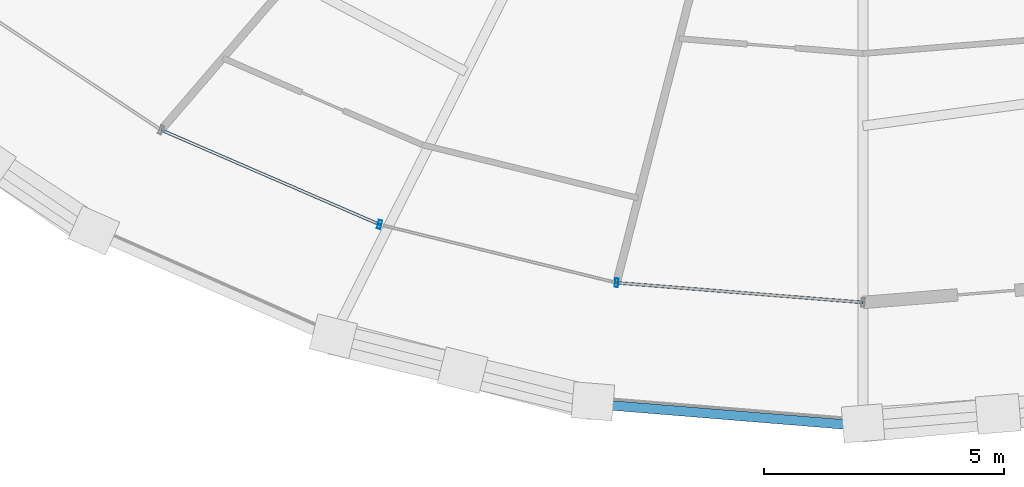
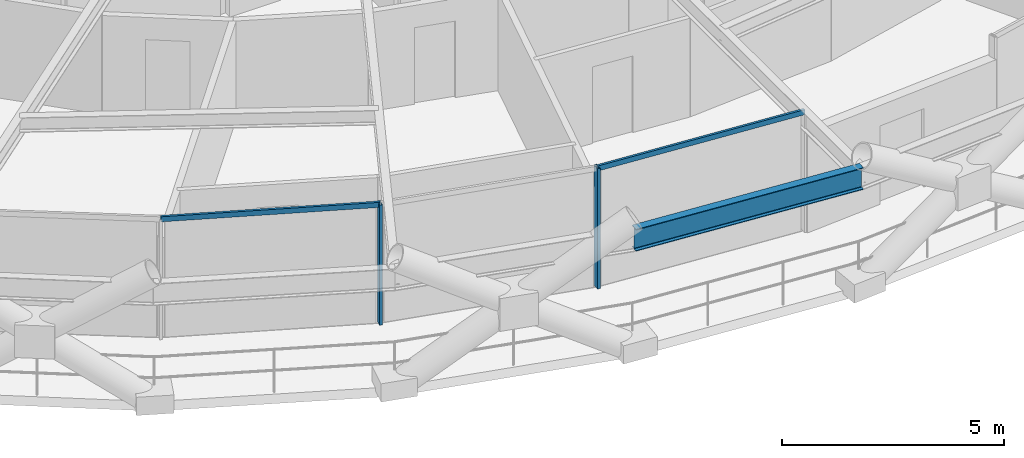
# One storey, part 4 of 21: 4 members, 1 beam, 1 element without a shape of its own.
"""IFC4 building model written with IfcOpenShell, lengths in metres."""

from ifc_helpers import new_model, si_unit, direction, frame, origin, origin_2d, place, context, subcontext, project, spatial, hollow_rectangle, i_section, extrude, material, layer, layer_set, material_profile, profile_set, type_object, element, aggregate, save


model = new_model("IFC4")

# Units and contexts
model_context = context("Model", 3, precision=1e-05, world=origin(), true_north=direction((0.0, 1.0)))
body_context = subcontext(model_context, "Body", "Model", "MODEL_VIEW")
ifc_project = project(units=[si_unit("LENGTHUNIT", "METRE"), si_unit("AREAUNIT", "SQUARE_METRE"), si_unit("VOLUMEUNIT", "CUBIC_METRE"), si_unit("PLANEANGLEUNIT", "RADIAN"), si_unit("MASSUNIT", "GRAM", prefix="KILO")], contexts=[model_context])

# Site, building, storey
site_placement = place(None, origin())
site = spatial("IfcSite", under=ifc_project, at=site_placement, CompositionType="ELEMENT")
building_placement = place(site_placement, origin())
building = spatial("IfcBuilding", under=site, at=building_placement, Name="Veldorina Hangang Commons", CompositionType="ELEMENT")
storey_placement = place(building_placement, frame((0.0, 0.0, 66.39990234375)))
storey = spatial("IfcBuildingStorey", under=building, at=storey_placement, Name="L16", CompositionType="ELEMENT", Elevation=66.39990234375)

# Beam
ifc_material_1 = material(Name="Steel SM420-TMC", Category="steel")
ifc_material_profile_1 = material_profile(ifc_material_1, i_section(OverallWidth=0.199951171875, OverallDepth=0.60009765625, WebThickness=0.010986328125, FlangeThickness=0.01708984375, FilletRadius=0.01806640625, at=origin_2d()), Name="H-600x200x11x17")
ifc_profile_set_1 = profile_set([ifc_material_profile_1], Name="Steel SM420-TMC")
beam_type = type_object("IfcBeamType", Name="BM-RB600", PredefinedType="BEAM", material=ifc_profile_set_1)
beam_placement = place(storey_placement, frame((26.36083984375, 0.553466796875, 3.0400390625), z_axis=(0.996700521697, -0.081166927063, 0.0), x_axis=(0.081166927063, 0.996700521697, 0.0)))
element("IfcBeam", 1, at=beam_placement, inside=storey, type_object=beam_type, Name="L16 perimeter hoop ring beam 23", PredefinedType="BEAM", context=body_context, shape_type="SweptSolid", body=[
    extrude(i_section(OverallWidth=0.199951171875, OverallDepth=0.60009765625, WebThickness=0.010986328125, FlangeThickness=0.01708984375, FilletRadius=0.01806640625, at=origin_2d()), origin(), (0.0, 0.0, 1.0), 5.65771484375),
])

# Curtain wall, members
ifc_material_2 = material(Name="Glass Low-E Triple IGU", Category="glass")
ifc_layer = layer(ifc_material_2, 0.179931640625)
ifc_layer_set = layer_set([ifc_layer], Name="Glass Low-E Triple IGU")
curtain_wall_type = type_object("IfcCurtainWallType", Name="CW-SYS-Z1", PredefinedType="NOTDEFINED", material=ifc_layer_set)
curtain_wall_placement = place(storey_placement, origin())
curtain_wall = element("IfcCurtainWall", 2, at=curtain_wall_placement, inside=storey, type_object=curtain_wall_type, Name="L16 unitised curtain wall CW-L16-R1", PredefinedType="NOTDEFINED")
ifc_material_3 = material(Name="Aluminium Anodized AA6063-T6", Category="aluminium")
ifc_material_profile_2 = material_profile(ifc_material_3, hollow_rectangle(XDim=0.070068359375, YDim=0.179931640625, WallThickness=0.00390625, at=origin_2d()), Name="ALU-RHS-180x70x4")
ifc_profile_set_2 = profile_set([ifc_material_profile_2], Name="Aluminium Anodized AA6063-T6")
member_type_1 = type_object("IfcMemberType", Name="CW-MUL-180", PredefinedType="MULLION", material=ifc_profile_set_2)
member_1_placement = place(storey_placement, frame((21.92333984375, 4.292236328125, 0.0), z_axis=(0.0, 0.0, 1.0), x_axis=(0.971105130303, -0.238652102233, 0.0)))
member_1 = element("IfcMember", 3, at=member_1_placement, type_object=member_type_1, Name="CW-L16-R1 vertical mullion 3", PredefinedType="MULLION", context=body_context, shape_type="SweptSolid", body=[
    extrude(hollow_rectangle(XDim=0.070068359375, YDim=0.179931640625, WallThickness=0.00390625, at=origin_2d()), origin(), (0.0, 0.0, 1.0), 3.300048828125),
])
member_2_placement = place(storey_placement, frame((26.863037109375, 3.078369140625, 0.0), z_axis=(0.0, 0.0, 1.0), x_axis=(0.996831849168, -0.079537817952, 0.0)))
member_2 = element("IfcMember", 4, at=member_2_placement, type_object=member_type_1, Name="CW-L16-R1 vertical mullion 4", PredefinedType="MULLION", context=body_context, shape_type="SweptSolid", body=[
    extrude(hollow_rectangle(XDim=0.070068359375, YDim=0.179931640625, WallThickness=0.00390625, at=origin_2d()), origin(), (0.0, 0.0, 1.0), 3.300048828125),
])
ifc_material_profile_3 = material_profile(ifc_material_3, hollow_rectangle(XDim=0.06005859375, YDim=0.139892578125, WallThickness=0.00341796875, at=origin_2d()), Name="ALU-RHS-140x60x3.5")
ifc_profile_set_3 = profile_set([ifc_material_profile_3], Name="Aluminium Anodized AA6063-T6")
member_type_2 = type_object("IfcMemberType", Name="CW-TRN-140", PredefinedType="USERDEFINED", material=ifc_profile_set_3)
member_3_placement = place(storey_placement, frame((17.37109375, 6.263427734375, 3.260009765625), z_axis=(0.917662125036, -0.397361578759, 0.0), x_axis=(0.397361578759, 0.917662125036, 0.0)))
member_3 = element("IfcMember", 5, at=member_3_placement, type_object=member_type_2, Name="CW-L16-R1 facet 2 transom 1", ObjectType="TRANSOM", PredefinedType="USERDEFINED", context=body_context, shape_type="SweptSolid", body=[
    extrude(hollow_rectangle(XDim=0.06005859375, YDim=0.139892578125, WallThickness=0.00341796875, at=origin_2d()), origin(), (0.0, 0.0, 1.0), 4.960693359375),
])
member_4_placement = place(storey_placement, frame((26.863037109375, 3.078369140625, 3.260009765625), z_axis=(0.996831376445, -0.079543742268, 0.0), x_axis=(0.079543742268, 0.996831376445, 0.0)))
member_4 = element("IfcMember", 6, at=member_4_placement, type_object=member_type_2, Name="CW-L16-R1 facet 4 transom 1", ObjectType="TRANSOM", PredefinedType="USERDEFINED", context=body_context, shape_type="SweptSolid", body=[
    extrude(hollow_rectangle(XDim=0.06005859375, YDim=0.139892578125, WallThickness=0.00341796875, at=origin_2d()), origin(), (0.0, 0.0, 1.0), 5.1533203125),
])
aggregate(curtain_wall, [member_1, member_2, member_3, member_4])

save(model, "model.ifc")
